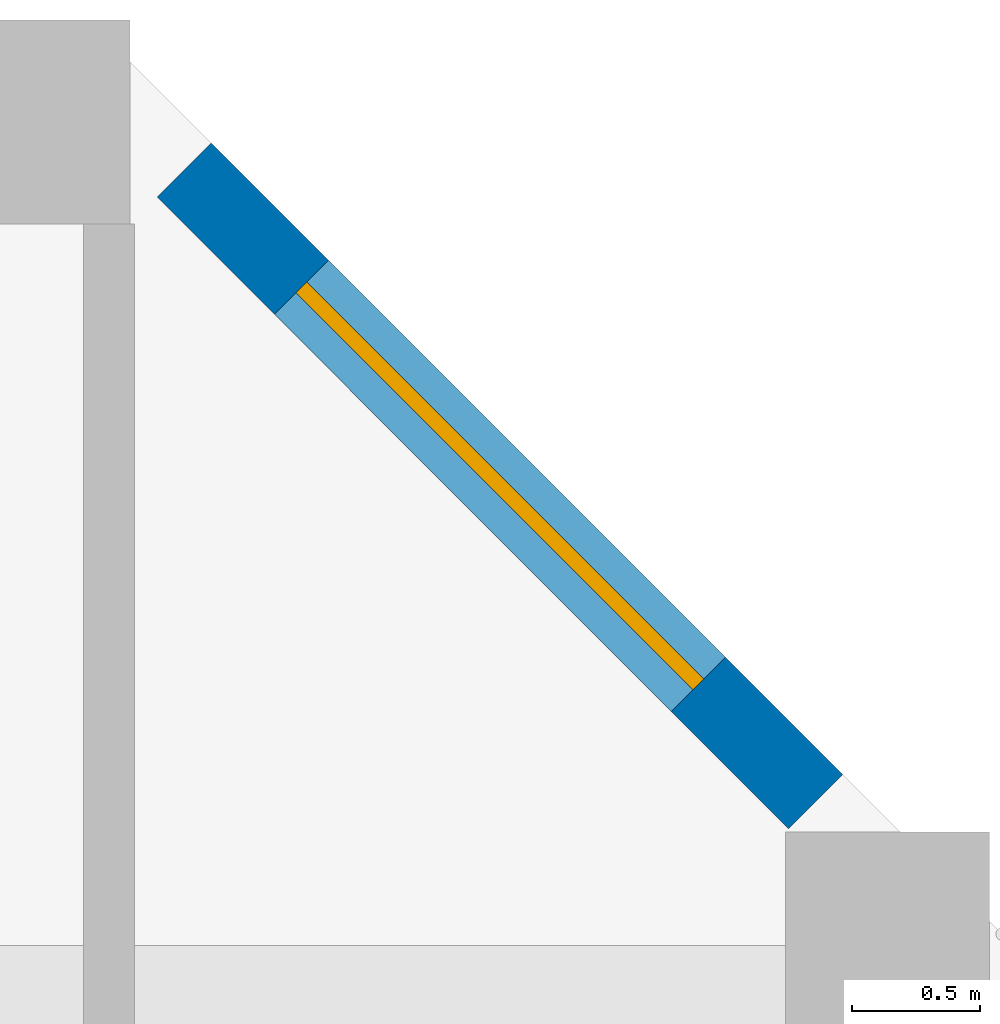
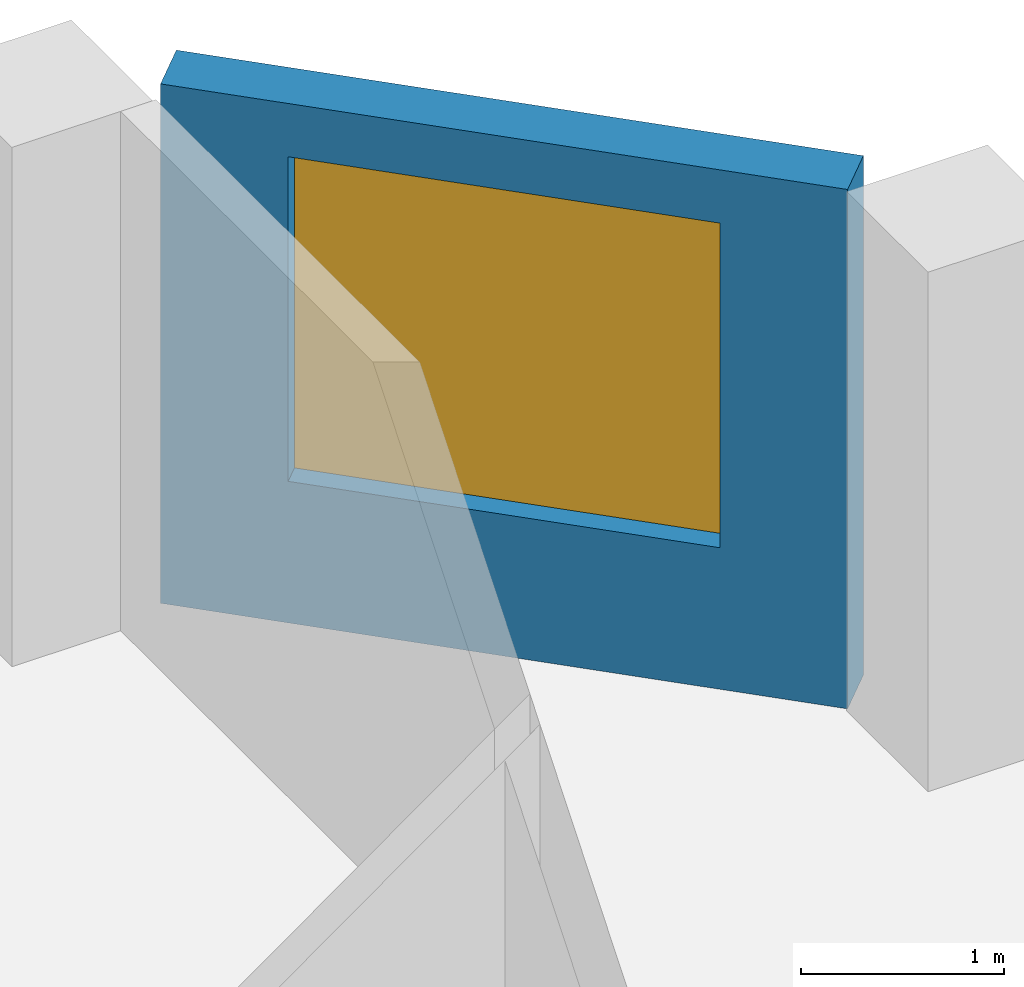
# One storey, part 10 of 20: 1 wall, 1 window, 1 opening.
"""IFC4 building model written with IfcOpenShell, lengths in metres."""

import ifcopenshell
import ifcopenshell.guid

model = None  # the IFC model being written
_history = None  # IfcOwnerHistory: only IFC2X3 demands one
_inside = {}  # id of a spatial element -> (the spatial element, [elements in it])
_under = {}  # id of a project, library or spatial element -> (it, [spatial elements below it])
_declared = {}  # id of a project -> (the project, [libraries it declares])
_typed = {}  # id of a type object -> (the type object, [elements of that type])
_made_of = {}  # id of a material, layer set ... -> (it, [elements and type objects made of it])


def new_model(schema):
    """Start an empty IFC model of exactly this schema.

    Asked for "IFC4X3", IfcOpenShell would pick the latest addendum, in which some entities
    have other attributes; the version numbers below select the first issue.
    IFC2X3 requires an IfcOwnerHistory on every rooted entity: one is made here for all.
    """
    global model, _history
    if schema == "IFC4X3":
        model = ifcopenshell.file(schema_version=(4, 3, 0, 0))
    else:
        model = ifcopenshell.file(schema=schema)
    _inside.clear()
    _under.clear()
    _declared.clear()
    _typed.clear()
    _made_of.clear()
    _history = None
    if model.schema == "IFC2X3":
        org = make("IfcOrganization", Name="unknown")
        user = make(
            "IfcPersonAndOrganization",
            ThePerson=make("IfcPerson", FamilyName="unknown"),
            TheOrganization=org,
        )
        app = make(
            "IfcApplication",
            ApplicationDeveloper=org,
            Version="unknown",
            ApplicationFullName="unknown",
            ApplicationIdentifier="unknown",
        )
        _history = make(
            "IfcOwnerHistory",
            OwningUser=user,
            OwningApplication=app,
            ChangeAction="ADDED",
            CreationDate=0,
        )
    return model


def make(cls, **values):
    """One entity of the class cls with the attributes given. An attribute that is None is left unset."""
    return model.create_entity(
        cls, **{name: value for name, value in values.items() if value is not None}
    )


def rooted(cls, **values):
    """An entity with a GlobalId (a new one), such as an element, a storey or a relation."""
    return make(cls, GlobalId=ifcopenshell.guid.new(), OwnerHistory=_history, **values)


def si_unit(unit_type, name, prefix=None):
    """IfcSIUnit, for example si_unit("LENGTHUNIT", "METRE", prefix="MILLI")."""
    return make("IfcSIUnit", UnitType=unit_type, Prefix=prefix, Name=name)


def assignment(units):
    """IfcUnitAssignment: the units of a project."""
    return None if units is None else make("IfcUnitAssignment", Units=units)


def point(xyz):
    """IfcCartesianPoint."""
    return None if xyz is None else make("IfcCartesianPoint", Coordinates=xyz)


def direction(xyz):
    """IfcDirection."""
    return None if xyz is None else make("IfcDirection", DirectionRatios=xyz)


def frame(location, z_axis=None, x_axis=None):
    """IfcAxis2Placement3D, a coordinate frame: its origin and axes. An axis left out is left unset."""
    return make(
        "IfcAxis2Placement3D",
        Location=point(location),
        Axis=direction(z_axis),
        RefDirection=direction(x_axis),
    )


def frame_2d(location, x_axis=None):
    """IfcAxis2Placement2D, a coordinate frame in the plane: its origin and x axis."""
    return make(
        "IfcAxis2Placement2D", Location=point(location), RefDirection=direction(x_axis)
    )


def origin():
    """The frame at (0, 0, 0) with its axes left unset."""
    return frame((0.0, 0.0, 0.0))


def place(relative_to, where):
    """IfcLocalPlacement: puts the frame where relative to a parent placement (None: the world)."""
    return make(
        "IfcLocalPlacement", PlacementRelTo=relative_to, RelativePlacement=where
    )


def context(
    kind, dimensions, precision=None, world=None, true_north=None, identifier=None
):
    """IfcGeometricRepresentationContext, for example the 3D "Model" context."""
    return make(
        "IfcGeometricRepresentationContext",
        ContextIdentifier=identifier,
        ContextType=kind,
        CoordinateSpaceDimension=dimensions,
        Precision=precision,
        WorldCoordinateSystem=world,
        TrueNorth=true_north,
    )


def subcontext(parent, identifier, kind, view, scale=None):
    """IfcGeometricRepresentationSubContext, for example "Body" below "Model"."""
    return make(
        "IfcGeometricRepresentationSubContext",
        ContextIdentifier=identifier,
        ContextType=kind,
        ParentContext=parent,
        TargetScale=scale,
        TargetView=view,
    )


def project(units=None, contexts=None):
    """IfcProject with its units and contexts."""
    return rooted(
        "IfcProject",
        Name="project",
        RepresentationContexts=contexts,
        UnitsInContext=assignment(units),
    )


def spatial(cls, under=None, at=None, **own):
    """A site, building, storey or space (cls), placed at a placement, below another one or the project."""
    s = rooted(cls, ObjectPlacement=at, **own)
    if under is not None:
        _under.setdefault(under.id(), (under, []))[1].append(s)
    return s


def profile(cls, at=None, kind="AREA", **sizes):
    """A parametric profile (cls). Its sizes go by their IFC names, for example OverallWidth=200.0."""
    return make(cls, ProfileType=kind, Position=at, **sizes)


def rectangle(**sizes):
    """IfcRectangleProfileDef."""
    return profile("IfcRectangleProfileDef", **sizes)


def extrude(swept, where, along, depth):
    """IfcExtrudedAreaSolid: the profile swept, set in the frame where, extruded along a direction by depth."""
    return make(
        "IfcExtrudedAreaSolid",
        SweptArea=swept,
        Position=where,
        ExtrudedDirection=direction(along),
        Depth=depth,
    )


def shape(context_of_items, identifier, shape_type, items):
    """IfcShapeRepresentation: the items that make up one representation, for example the "Body"."""
    return make(
        "IfcShapeRepresentation",
        ContextOfItems=context_of_items,
        RepresentationIdentifier=identifier,
        RepresentationType=shape_type,
        Items=items,
    )


def source(mapping_origin, context_of_items, identifier, shape_type, items):
    """IfcRepresentationMap: a shape defined once, which mapped items show again and again."""
    return make(
        "IfcRepresentationMap",
        MappingOrigin=mapping_origin,
        MappedRepresentation=shape(context_of_items, identifier, shape_type, items),
    )


def transform(
    local_origin,
    x_axis=None,
    y_axis=None,
    z_axis=None,
    scale=None,
    scale2=None,
    scale3=None,
    uniform=True,
):
    """IfcCartesianTransformationOperator3D, or its non-uniform kind. x_axis, y_axis, z_axis: its Axis1, 2, 3."""
    if uniform:
        return make(
            "IfcCartesianTransformationOperator3D",
            Axis1=direction(x_axis),
            Axis2=direction(y_axis),
            LocalOrigin=point(local_origin),
            Scale=scale,
            Axis3=direction(z_axis),
        )
    return make(
        "IfcCartesianTransformationOperator3DnonUniform",
        Axis1=direction(x_axis),
        Axis2=direction(y_axis),
        LocalOrigin=point(local_origin),
        Scale=scale,
        Axis3=direction(z_axis),
        Scale2=scale2,
        Scale3=scale3,
    )


def mapped(mapping_source, mapping_target):
    """IfcMappedItem: shows the shape of a source again, moved by a transform."""
    return make(
        "IfcMappedItem", MappingSource=mapping_source, MappingTarget=mapping_target
    )


def material(Name=None, Category=None):
    """IfcMaterial."""
    return make("IfcMaterial", Name=Name, Category=Category)


def layer(
    of_material, thickness, ventilated=None, Name=None, Category=None, Priority=None
):
    """IfcMaterialLayer: one layer of a wall or slab, of a material (None: an air gap)."""
    return make(
        "IfcMaterialLayer",
        Material=of_material,
        LayerThickness=thickness,
        IsVentilated=ventilated,
        Name=Name,
        Category=Category,
        Priority=Priority,
    )


def layer_set(layers, Name=None):
    """IfcMaterialLayerSet."""
    return make("IfcMaterialLayerSet", MaterialLayers=layers, LayerSetName=Name)


def made_of(thing, what):
    """Note that an element or type object is made of a material, layer set ...; save() writes the relation."""
    if what is not None:
        _made_of.setdefault(what.id(), (what, []))[1].append(thing)
    return thing


def type_object(cls, material=None, **own):
    """A type object (cls), such as IfcWallType, which elements share."""
    return made_of(rooted(cls, **own), material)


def element(
    cls,
    number,
    at=None,
    inside=None,
    cuts=None,
    type_object=None,
    material=None,
    context=None,
    identifier="Body",
    shape_type=None,
    held_by="IfcProductDefinitionShape",
    body=None,
    shapes=None,
    **own,
):
    """One element of the class cls, such as IfcWall. Its Tag is "e" and its number.

    at: its placement. inside: the storey or other place that contains it. cuts: it is an
    opening in that element (IfcRelVoidsElement). A single representation is given by context,
    identifier, shape_type and body (its items); several are given by shapes. held_by: the class
    of the entity that holds the representations. save() writes the other relations.
    """
    e = rooted(cls, Tag="e%d" % number, ObjectPlacement=at, **own)
    if body is not None:
        shapes = [shape(context, identifier, shape_type, body)]
    if shapes is not None:
        e.Representation = make(held_by, Representations=shapes)
    if inside is not None:
        _inside.setdefault(inside.id(), (inside, []))[1].append(e)
    if cuts is not None:
        rooted(
            "IfcRelVoidsElement", RelatingBuildingElement=cuts, RelatedOpeningElement=e
        )
    if type_object is not None:
        _typed.setdefault(type_object.id(), (type_object, []))[1].append(e)
    return made_of(e, material)


def fill(opening, filler):
    """IfcRelFillsElement: the door or window that sits in an opening."""
    return rooted(
        "IfcRelFillsElement",
        RelatingOpeningElement=opening,
        RelatedBuildingElement=filler,
    )


def aggregate(whole, parts):
    """IfcRelAggregates: a whole, such as a stair, and the parts it consists of."""
    return rooted("IfcRelAggregates", RelatingObject=whole, RelatedObjects=parts)


def save(model, path):
    """Write the relations noted so far, then the file.

    IfcRelAggregates (storeys below a building ...), IfcRelContainedInSpatialStructure (elements
    in a storey), IfcRelDefinesByType, IfcRelAssociatesMaterial and IfcRelDeclares: one each for
    every whole, place, type object, material and project.
    """
    for whole, parts in _under.values():
        aggregate(whole, parts)
    for where, things in _inside.values():
        rooted(
            "IfcRelContainedInSpatialStructure",
            RelatedElements=things,
            RelatingStructure=where,
        )
    for kind, things in _typed.values():
        rooted("IfcRelDefinesByType", RelatedObjects=things, RelatingType=kind)
    for what, things in _made_of.values():
        rooted("IfcRelAssociatesMaterial", RelatedObjects=things, RelatingMaterial=what)
    for by, libraries in _declared.values():
        rooted("IfcRelDeclares", RelatingContext=by, RelatedDefinitions=libraries)
    model.write(path)


model = new_model("IFC4")

# Units and contexts
model_context = context("Model", 3, precision=1e-05, world=origin(), true_north=direction((0.0, 1.0)))
body_context = subcontext(model_context, "Body", "Model", "MODEL_VIEW")
ifc_project = project(units=[si_unit("LENGTHUNIT", "METRE"), si_unit("AREAUNIT", "SQUARE_METRE"), si_unit("VOLUMEUNIT", "CUBIC_METRE"), si_unit("PLANEANGLEUNIT", "RADIAN"), si_unit("MASSUNIT", "GRAM", prefix="KILO")], contexts=[model_context])

# Site, building, storey
site_placement = place(None, origin())
site = spatial("IfcSite", under=ifc_project, at=site_placement, CompositionType="ELEMENT")
building_placement = place(site_placement, origin())
building = spatial("IfcBuilding", under=site, at=building_placement, Name="Kilnfold Tower and Market Hall", CompositionType="ELEMENT")
storey_placement = place(building_placement, frame((0.0, 0.0, 157.5)))
storey = spatial("IfcBuildingStorey", under=building, at=storey_placement, Name="L36", CompositionType="ELEMENT", Elevation=157.5)

# Wall, opening, window
ifc_material_1 = material(Name="Precast concrete C50/60", Category="concrete")
ifc_layer = layer(ifc_material_1, 0.300048828125)
ifc_layer_set = layer_set([ifc_layer], Name="Precast concrete C50/60")
wall_type = type_object("IfcWallType", Name="PRECAST WALL 300", PredefinedType="SOLIDWALL", material=ifc_layer_set)
shared_shape = source(origin(), body_context, "Body", "SweptSolid", [
    extrude(rectangle(XDim=3.500244140625, YDim=0.300048828125, at=frame_2d((1.75, 0.0))), origin(), (0.0, 0.0, 1.0), 3.1201171875),
])
wall_placement = place(storey_placement, frame((24.518798828125, 28.268798828125, 0.0), z_axis=(0.0, 0.0, 1.0), x_axis=(-0.70707190453, 0.707141656123, 0.0)))
wall = element("IfcWall", 1, at=wall_placement, inside=storey, type_object=wall_type, Name="External wall L36 NE", PredefinedType="SOLIDWALL", context=body_context, shape_type="MappedRepresentation", body=[
    mapped(shared_shape, transform((0.0, 0.0, 0.0))),
])
opening_placement = place(wall_placement, frame((0.650146484375, 0.0, 0.85009765625)))
opening = element("IfcOpeningElement", 2, at=opening_placement, cuts=wall, Name="Opening W2", PredefinedType="OPENING", context=body_context, shape_type="SweptSolid", body=[
    extrude(rectangle(XDim=2.199951171875, YDim=1.949951171875, at=frame_2d((1.10009765625, 0.97509765625))), frame((0.0, 0.16015625, 0.0), z_axis=(0.0, -1.0, 0.0), x_axis=(1.0, 0.0, 0.0)), (0.0, 0.0, 1.0), 0.320068359375),
])
ifc_material_2 = material(Name="Aluminium frame and double glazing", Category="aluminium")
window_type = type_object("IfcWindowType", Name="WINDOW W2 2200X1950", PartitioningType="SINGLE_PANEL", PredefinedType="WINDOW", material=ifc_material_2)
window_placement = place(opening_placement, origin())
window = element("IfcWindow", 3, at=window_placement, inside=storey, type_object=window_type, Name="Window W2 L36 NE-1", OverallHeight=1.949951171875, OverallWidth=2.199951171875, PartitioningType="SINGLE_PANEL", PredefinedType="WINDOW", context=body_context, shape_type="SweptSolid", body=[
    extrude(rectangle(XDim=2.199951171875, YDim=1.949951171875, at=frame_2d((1.10009765625, 0.97509765625))), frame((0.0, 0.030029296875, 0.0), z_axis=(0.0, -1.0, 0.0), x_axis=(1.0, 0.0, 0.0)), (0.0, 0.0, 1.0), 0.06005859375),
])
fill(opening, window)

save(model, "model.ifc")
